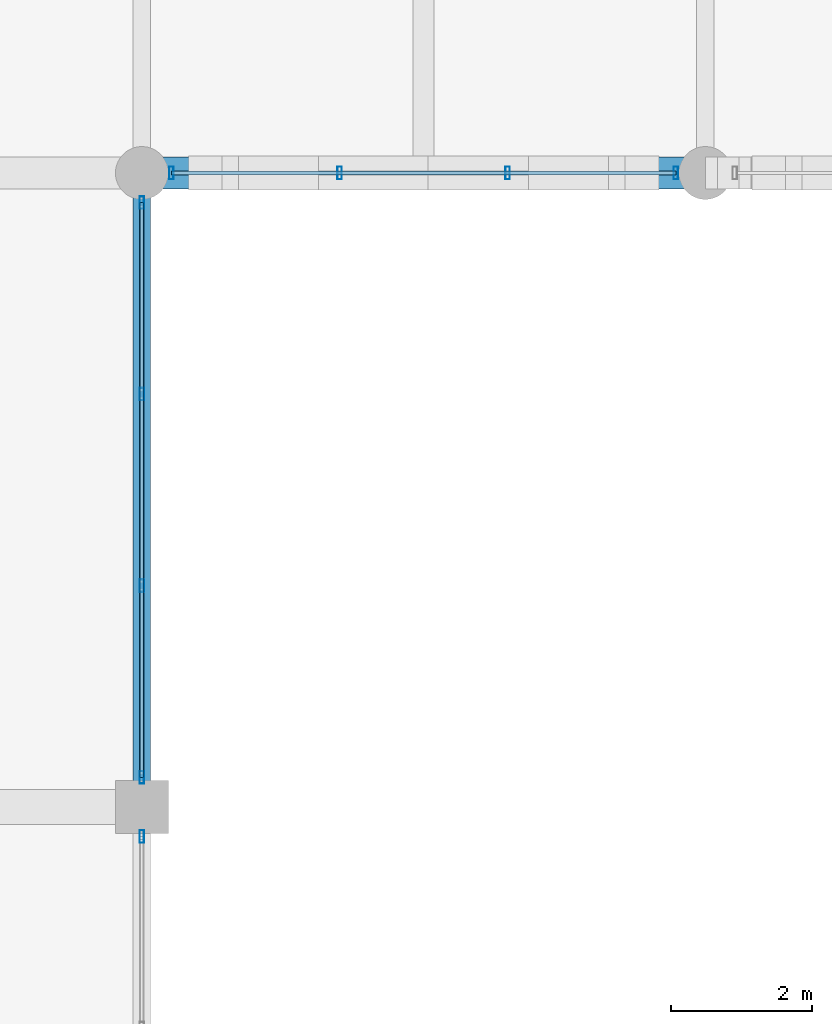
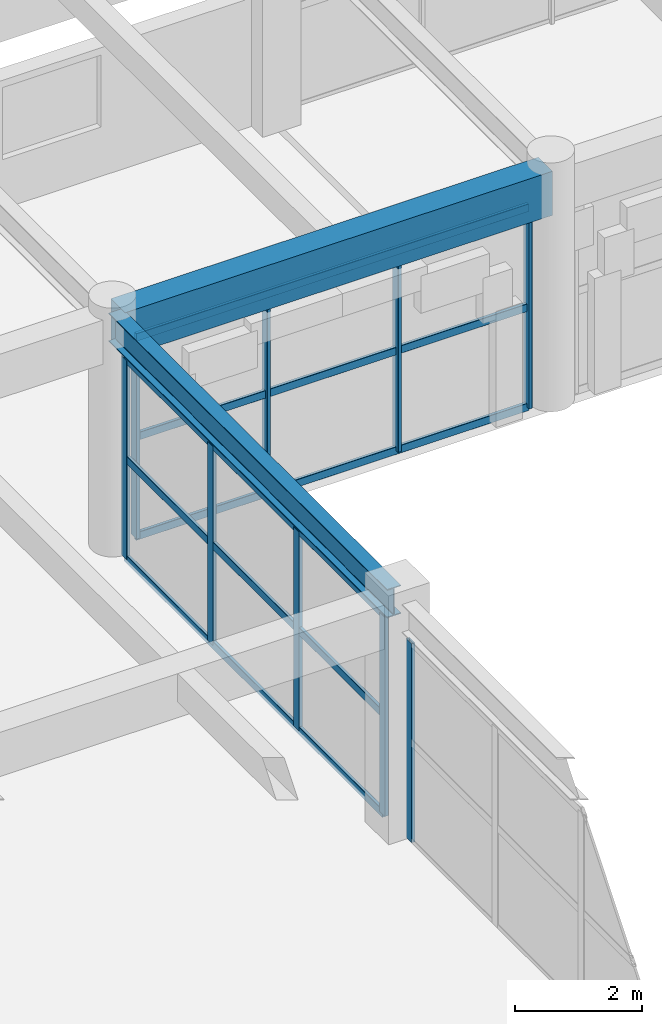
# One storey, part 21 of 144: 15 members, 2 beams, 3 elements without a shape of their own.
"""IFC4 building model written with IfcOpenShell, lengths in metres."""

from ifc_helpers import new_model, si_unit, direction, frame, origin, origin_2d, place, context, subcontext, project, spatial, rectangle, hollow_rectangle, i_section, extrude, material, material_profile, profile_set, type_object, element, aggregate, save


model = new_model("IFC4")

# Units and contexts
model_context = context("Model", 3, precision=1e-05, world=origin(), true_north=direction((0.0, 1.0)))
body_context = subcontext(model_context, "Body", "Model", "MODEL_VIEW")
ifc_project = project(units=[si_unit("LENGTHUNIT", "METRE"), si_unit("AREAUNIT", "SQUARE_METRE"), si_unit("VOLUMEUNIT", "CUBIC_METRE"), si_unit("PLANEANGLEUNIT", "RADIAN"), si_unit("MASSUNIT", "GRAM", prefix="KILO")], contexts=[model_context])

# Site, building, storey
site_placement = place(None, origin())
site = spatial("IfcSite", under=ifc_project, at=site_placement, CompositionType="ELEMENT")
building_placement = place(site_placement, origin())
building = spatial("IfcBuilding", under=site, at=building_placement, Name="Varnabhumi Central Station", CompositionType="ELEMENT")
storey_placement = place(building_placement, frame((0.0, 0.0, 4.800048828125)))
storey = spatial("IfcBuildingStorey", under=building, at=storey_placement, Name="L01", CompositionType="ELEMENT", Elevation=4.800048828125)

# Beams
ifc_material_1 = material(Name="Concrete M40", Category="concrete")
ifc_material_profile_1 = material_profile(ifc_material_1, rectangle(XDim=0.449951171875, YDim=0.85009765625, at=origin_2d()), Name="Concrete M40", Category="concrete")
ifc_profile_set_1 = profile_set([ifc_material_profile_1], Name="Concrete M40")
beam_type_1 = type_object("IfcBeamType", Name="BM-RC-450x850", PredefinedType="BEAM", material=ifc_profile_set_1)
beam_1_placement = place(storey_placement, frame((112.10009765625, 27.0, 4.125), z_axis=(1.0, 0.0, 0.0), x_axis=(0.0, 1.0, 0.0)))
element("IfcBeam", 1, at=beam_1_placement, inside=storey, type_object=beam_type_1, Name="Beam L01-D:15-16", PredefinedType="BEAM", context=body_context, shape_type="SweptSolid", body=[
    extrude(rectangle(XDim=0.449951171875, YDim=0.85009765625, at=origin_2d()), origin(), (0.0, 0.0, 1.0), 7.7998046875),
])
ifc_material_2 = material(Name="Structural steel E350", Category="steel")
ifc_material_profile_2 = material_profile(ifc_material_2, i_section(OverallWidth=0.25, OverallDepth=0.550048828125, WebThickness=0.010498046875, FlangeThickness=0.017578125, FilletRadius=0.01611328125, at=origin_2d()), Name="Structural steel E350", Category="steel")
ifc_profile_set_2 = profile_set([ifc_material_profile_2], Name="Structural steel E350")
beam_type_2 = type_object("IfcBeamType", Name="BM-STL-ISWB550", PredefinedType="BEAM", material=ifc_profile_set_2)
beam_2_placement = place(storey_placement, frame((112.0, 18.10009765625, 4.27490234375), z_axis=(0.0, 1.0, 0.0), x_axis=(-1.0, 0.0, 0.0)))
element("IfcBeam", 2, at=beam_2_placement, inside=storey, type_object=beam_type_2, Name="Beam L01-15:C-D", PredefinedType="BEAM", context=body_context, shape_type="SweptSolid", body=[
    extrude(i_section(OverallWidth=0.25, OverallDepth=0.550048828125, WebThickness=0.010498046875, FlangeThickness=0.017578125, FilletRadius=0.01611328125, at=origin_2d()), origin(), (0.0, 0.0, 1.0), 8.7998046875),
])

# Curtain wall, member
ifc_material_3 = material(Name="Anodised aluminium 6063-T6", Category="aluminium")
curtain_wall_type = type_object("IfcCurtainWallType", Name="CW-PATIO-LOGGIA-L1", PredefinedType="NOTDEFINED", material=ifc_material_3)
curtain_wall_1_placement = place(storey_placement, origin())
curtain_wall_1 = element("IfcCurtainWall", 3, at=curtain_wall_1_placement, inside=storey, type_object=curtain_wall_type, Name="Curtain Wall CW-SP1E1", PredefinedType="NOTDEFINED")
ifc_material_profile_3 = material_profile(ifc_material_3, hollow_rectangle(XDim=0.06494140625, YDim=0.179931640625, WallThickness=0.00390625, InnerFilletRadius=0.001953125, OuterFilletRadius=0.006103515625, at=origin_2d()), Name="Anodised aluminium 6063-T6", Category="aluminium")
ifc_profile_set_3 = profile_set([ifc_material_profile_3], Name="Anodised aluminium 6063-T6")
member_type_1 = type_object("IfcMemberType", Name="CW-MUL-180", PredefinedType="MULLION", material=ifc_profile_set_3)
member_1_placement = place(storey_placement, frame((112.0, 17.580078125, 0.0), z_axis=(0.0, 0.0, 1.0), x_axis=(1.0, 0.0, 0.0)))
member_1 = element("IfcMember", 4, at=member_1_placement, type_object=member_type_1, Name="Curtain Wall Mullion CW-SP1E1-M4", PredefinedType="MULLION", context=body_context, shape_type="SweptSolid", body=[
    extrude(hollow_rectangle(XDim=0.06494140625, YDim=0.179931640625, WallThickness=0.00390625, InnerFilletRadius=0.001953125, OuterFilletRadius=0.006103515625, at=origin_2d()), origin(), (0.0, 0.0, 1.0), 3.83984375),
])
aggregate(curtain_wall_1, [member_1])

# Curtain wall, members
curtain_wall_2_placement = place(storey_placement, origin())
curtain_wall_2 = element("IfcCurtainWall", 5, at=curtain_wall_2_placement, inside=storey, type_object=curtain_wall_type, Name="Curtain Wall CW-SP1E2", PredefinedType="NOTDEFINED")
member_2_placement = place(storey_placement, frame((112.0, 18.419921875, 0.0), z_axis=(0.0, 0.0, 1.0), x_axis=(1.0, 0.0, 0.0)))
member_2 = element("IfcMember", 6, at=member_2_placement, type_object=member_type_1, Name="Curtain Wall Mullion CW-SP1E2-M1", PredefinedType="MULLION", context=body_context, shape_type="SweptSolid", body=[
    extrude(hollow_rectangle(XDim=0.06494140625, YDim=0.179931640625, WallThickness=0.00390625, InnerFilletRadius=0.001953125, OuterFilletRadius=0.006103515625, at=origin_2d()), origin(), (0.0, 0.0, 1.0), 3.83984375),
])
member_3_placement = place(storey_placement, frame((112.0, 21.139892578125, 0.0), z_axis=(0.0, 0.0, 1.0), x_axis=(1.0, 0.0, 0.0)))
member_3 = element("IfcMember", 7, at=member_3_placement, type_object=member_type_1, Name="Curtain Wall Mullion CW-SP1E2-M2", PredefinedType="MULLION", context=body_context, shape_type="SweptSolid", body=[
    extrude(hollow_rectangle(XDim=0.06494140625, YDim=0.179931640625, WallThickness=0.00390625, InnerFilletRadius=0.001953125, OuterFilletRadius=0.006103515625, at=origin_2d()), origin(), (0.0, 0.0, 1.0), 3.83984375),
])
member_4_placement = place(storey_placement, frame((112.0, 23.860107421875, 0.0), z_axis=(0.0, 0.0, 1.0), x_axis=(1.0, 0.0, 0.0)))
member_4 = element("IfcMember", 8, at=member_4_placement, type_object=member_type_1, Name="Curtain Wall Mullion CW-SP1E2-M3", PredefinedType="MULLION", context=body_context, shape_type="SweptSolid", body=[
    extrude(hollow_rectangle(XDim=0.06494140625, YDim=0.179931640625, WallThickness=0.00390625, InnerFilletRadius=0.001953125, OuterFilletRadius=0.006103515625, at=origin_2d()), origin(), (0.0, 0.0, 1.0), 3.83984375),
])
member_5_placement = place(storey_placement, frame((112.0, 26.580078125, 0.0), z_axis=(0.0, 0.0, 1.0), x_axis=(1.0, 0.0, 0.0)))
member_5 = element("IfcMember", 9, at=member_5_placement, type_object=member_type_1, Name="Curtain Wall Mullion CW-SP1E2-M4", PredefinedType="MULLION", context=body_context, shape_type="SweptSolid", body=[
    extrude(hollow_rectangle(XDim=0.06494140625, YDim=0.179931640625, WallThickness=0.00390625, InnerFilletRadius=0.001953125, OuterFilletRadius=0.006103515625, at=origin_2d()), origin(), (0.0, 0.0, 1.0), 3.83984375),
])

curtain_wall_3_placement = place(storey_placement, origin())
curtain_wall_3 = element("IfcCurtainWall", 10, at=curtain_wall_3_placement, inside=storey, type_object=curtain_wall_type, Name="Curtain Wall CW-SP1N1", PredefinedType="NOTDEFINED")
member_6_placement = place(storey_placement, frame((112.419921875, 27.0, 0.0), z_axis=(0.0, 0.0, 1.0), x_axis=(1.0, 0.0, 0.0)))
member_6 = element("IfcMember", 11, at=member_6_placement, type_object=member_type_1, Name="Curtain Wall Mullion CW-SP1N1-M1", PredefinedType="MULLION", context=body_context, shape_type="SweptSolid", body=[
    extrude(hollow_rectangle(XDim=0.06494140625, YDim=0.179931640625, WallThickness=0.00390625, InnerFilletRadius=0.001953125, OuterFilletRadius=0.006103515625, at=origin_2d()), origin(), (0.0, 0.0, 1.0), 3.83984375),
])
member_7_placement = place(storey_placement, frame((114.806640625, 27.0, 0.0), z_axis=(0.0, 0.0, 1.0), x_axis=(1.0, 0.0, 0.0)))
member_7 = element("IfcMember", 12, at=member_7_placement, type_object=member_type_1, Name="Curtain Wall Mullion CW-SP1N1-M2", PredefinedType="MULLION", context=body_context, shape_type="SweptSolid", body=[
    extrude(hollow_rectangle(XDim=0.06494140625, YDim=0.179931640625, WallThickness=0.00390625, InnerFilletRadius=0.001953125, OuterFilletRadius=0.006103515625, at=origin_2d()), origin(), (0.0, 0.0, 1.0), 3.83984375),
])
member_8_placement = place(storey_placement, frame((117.193359375, 27.0, 0.0), z_axis=(0.0, 0.0, 1.0), x_axis=(1.0, 0.0, 0.0)))
member_8 = element("IfcMember", 13, at=member_8_placement, type_object=member_type_1, Name="Curtain Wall Mullion CW-SP1N1-M3", PredefinedType="MULLION", context=body_context, shape_type="SweptSolid", body=[
    extrude(hollow_rectangle(XDim=0.06494140625, YDim=0.179931640625, WallThickness=0.00390625, InnerFilletRadius=0.001953125, OuterFilletRadius=0.006103515625, at=origin_2d()), origin(), (0.0, 0.0, 1.0), 3.83984375),
])
member_9_placement = place(storey_placement, frame((119.580078125, 27.0, 0.0), z_axis=(0.0, 0.0, 1.0), x_axis=(1.0, 0.0, 0.0)))
member_9 = element("IfcMember", 14, at=member_9_placement, type_object=member_type_1, Name="Curtain Wall Mullion CW-SP1N1-M4", PredefinedType="MULLION", context=body_context, shape_type="SweptSolid", body=[
    extrude(hollow_rectangle(XDim=0.06494140625, YDim=0.179931640625, WallThickness=0.00390625, InnerFilletRadius=0.001953125, OuterFilletRadius=0.006103515625, at=origin_2d()), origin(), (0.0, 0.0, 1.0), 3.83984375),
])

# Member
ifc_material_profile_4 = material_profile(ifc_material_3, hollow_rectangle(XDim=0.06005859375, YDim=0.14990234375, WallThickness=0.00390625, InnerFilletRadius=0.001953125, OuterFilletRadius=0.006103515625, at=origin_2d()), Name="Anodised aluminium 6063-T6", Category="aluminium")
ifc_profile_set_4 = profile_set([ifc_material_profile_4], Name="Anodised aluminium 6063-T6")
member_type_2 = type_object("IfcMemberType", Name="CW-TR-150", PredefinedType="USERDEFINED", material=ifc_profile_set_4)
member_10_placement = place(storey_placement, frame((112.0, 18.419921875, 0.0), z_axis=(0.0, 1.0, 0.0), x_axis=(-1.0, 0.0, 0.0)))
member_10 = element("IfcMember", 15, at=member_10_placement, type_object=member_type_2, Name="Curtain Wall Transom CW-SP1E2-T1", ObjectType="TRANSOM", PredefinedType="USERDEFINED", context=body_context, shape_type="SweptSolid", body=[
    extrude(hollow_rectangle(XDim=0.06005859375, YDim=0.14990234375, WallThickness=0.00390625, InnerFilletRadius=0.001953125, OuterFilletRadius=0.006103515625, at=origin_2d()), origin(), (0.0, 0.0, 1.0), 8.16015625),
])

member_11_placement = place(storey_placement, frame((112.0, 18.419921875, 1.919921875), z_axis=(0.0, 1.0, 0.0), x_axis=(-1.0, 0.0, 0.0)))
member_11 = element("IfcMember", 16, at=member_11_placement, type_object=member_type_2, Name="Curtain Wall Transom CW-SP1E2-T2", ObjectType="TRANSOM", PredefinedType="USERDEFINED", context=body_context, shape_type="SweptSolid", body=[
    extrude(hollow_rectangle(XDim=0.06005859375, YDim=0.14990234375, WallThickness=0.00390625, InnerFilletRadius=0.001953125, OuterFilletRadius=0.006103515625, at=origin_2d()), origin(), (0.0, 0.0, 1.0), 8.16015625),
])

member_12_placement = place(storey_placement, frame((112.0, 18.419921875, 3.83984375), z_axis=(0.0, 1.0, 0.0), x_axis=(-1.0, 0.0, 0.0)))
member_12 = element("IfcMember", 17, at=member_12_placement, type_object=member_type_2, Name="Curtain Wall Transom CW-SP1E2-T3", ObjectType="TRANSOM", PredefinedType="USERDEFINED", context=body_context, shape_type="SweptSolid", body=[
    extrude(hollow_rectangle(XDim=0.06005859375, YDim=0.14990234375, WallThickness=0.00390625, InnerFilletRadius=0.001953125, OuterFilletRadius=0.006103515625, at=origin_2d()), origin(), (0.0, 0.0, 1.0), 8.16015625),
])

aggregate(curtain_wall_2, [member_2, member_3, member_4, member_5, member_10, member_11, member_12])

member_13_placement = place(storey_placement, frame((112.419921875, 27.0, 0.0), z_axis=(1.0, 0.0, 0.0), x_axis=(0.0, 1.0, 0.0)))
member_13 = element("IfcMember", 18, at=member_13_placement, type_object=member_type_2, Name="Curtain Wall Transom CW-SP1N1-T1", ObjectType="TRANSOM", PredefinedType="USERDEFINED", context=body_context, shape_type="SweptSolid", body=[
    extrude(hollow_rectangle(XDim=0.06005859375, YDim=0.14990234375, WallThickness=0.00390625, InnerFilletRadius=0.001953125, OuterFilletRadius=0.006103515625, at=origin_2d()), origin(), (0.0, 0.0, 1.0), 7.16015625),
])

member_14_placement = place(storey_placement, frame((112.419921875, 27.0, 1.919921875), z_axis=(1.0, 0.0, 0.0), x_axis=(0.0, 1.0, 0.0)))
member_14 = element("IfcMember", 19, at=member_14_placement, type_object=member_type_2, Name="Curtain Wall Transom CW-SP1N1-T2", ObjectType="TRANSOM", PredefinedType="USERDEFINED", context=body_context, shape_type="SweptSolid", body=[
    extrude(hollow_rectangle(XDim=0.06005859375, YDim=0.14990234375, WallThickness=0.00390625, InnerFilletRadius=0.001953125, OuterFilletRadius=0.006103515625, at=origin_2d()), origin(), (0.0, 0.0, 1.0), 7.16015625),
])

member_15_placement = place(storey_placement, frame((112.419921875, 27.0, 3.83984375), z_axis=(1.0, 0.0, 0.0), x_axis=(0.0, 1.0, 0.0)))
member_15 = element("IfcMember", 20, at=member_15_placement, type_object=member_type_2, Name="Curtain Wall Transom CW-SP1N1-T3", ObjectType="TRANSOM", PredefinedType="USERDEFINED", context=body_context, shape_type="SweptSolid", body=[
    extrude(hollow_rectangle(XDim=0.06005859375, YDim=0.14990234375, WallThickness=0.00390625, InnerFilletRadius=0.001953125, OuterFilletRadius=0.006103515625, at=origin_2d()), origin(), (0.0, 0.0, 1.0), 7.16015625),
])

aggregate(curtain_wall_3, [member_6, member_7, member_8, member_9, member_13, member_14, member_15])

save(model, "model.ifc")
